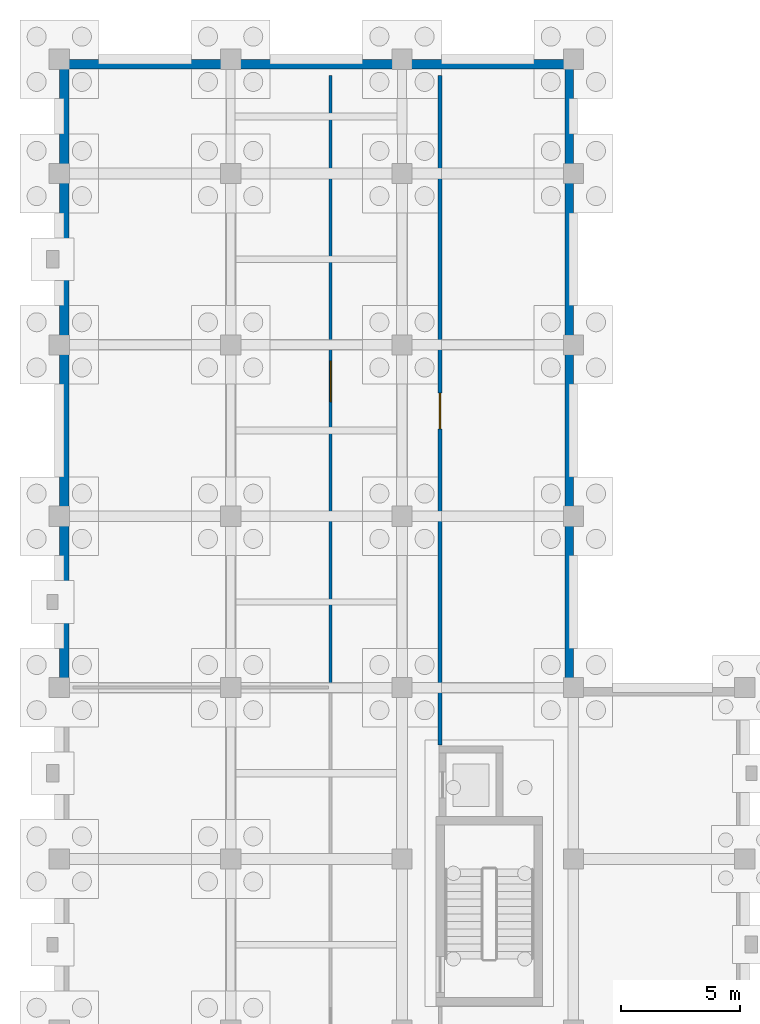
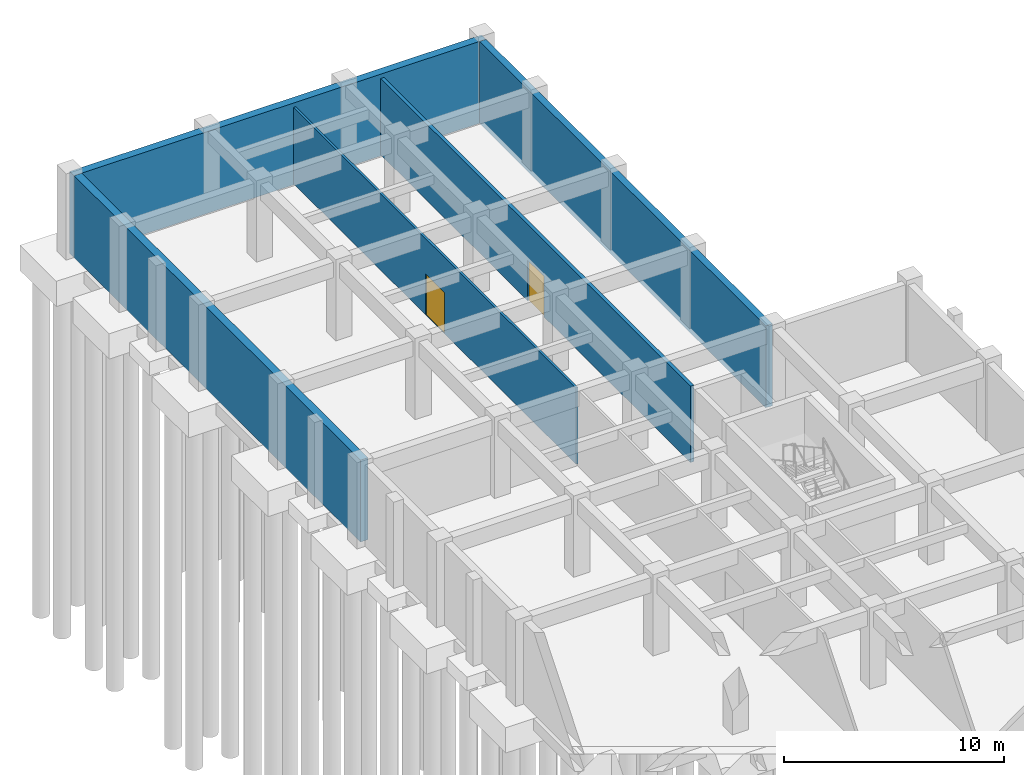
# One storey, part 19 of 28: 5 walls, 2 doors, 2 openings.
"""IFC4 building model written with IfcOpenShell, lengths in metres."""

from ifc_helpers import new_model, si_unit, direction, frame, frame_2d, origin, place, context, subcontext, project, spatial, rectangle, extrude, material, layer, layer_set, type_object, element, fill, save


model = new_model("IFC4")

# Units and contexts
model_context = context("Model", 3, precision=1e-05, world=origin(), true_north=direction((0.0, 1.0)))
body_context = subcontext(model_context, "Body", "Model", "MODEL_VIEW")
ifc_project = project(units=[si_unit("LENGTHUNIT", "METRE"), si_unit("AREAUNIT", "SQUARE_METRE"), si_unit("VOLUMEUNIT", "CUBIC_METRE"), si_unit("PLANEANGLEUNIT", "RADIAN"), si_unit("MASSUNIT", "GRAM", prefix="KILO")], contexts=[model_context])

# Site, building, storey
site_placement = place(None, origin())
site = spatial("IfcSite", under=ifc_project, at=site_placement, CompositionType="ELEMENT")
building_placement = place(site_placement, origin())
building = spatial("IfcBuilding", under=site, at=building_placement, Name="Alvorim Cloister Faculty of Sciences", CompositionType="ELEMENT")
storey_placement = place(building_placement, frame((0.0, 0.0, -4.5)))
storey = spatial("IfcBuildingStorey", under=building, at=storey_placement, Name="B01", CompositionType="ELEMENT", Elevation=-4.5)

# Wall, opening, door
ifc_material_1 = material(Name="Acoustic Gypsum Stud Partition", Category="gypsum")
ifc_layer_1 = layer(ifc_material_1, 0.1201171875)
ifc_layer_set_1 = layer_set([ifc_layer_1], Name="Acoustic Gypsum Stud Partition")
wall_type_1 = type_object("IfcWallType", Name="WL-PRT-120", PredefinedType="PARTITIONING", material=ifc_layer_set_1)
wall_1_placement = place(storey_placement, frame((11.39990234375, 85.280029296875, 0.0), z_axis=(0.0, 0.0, 1.0), x_axis=(0.0, 1.0, 0.0)))
wall_1 = element("IfcWall", 1, at=wall_1_placement, inside=storey, type_object=wall_type_1, Name="B01 Rare Science Compactus Archive Stack B Partition IWL-0450", PredefinedType="PARTITIONING", context=body_context, shape_type="SweptSolid", body=[
    extrude(rectangle(XDim=25.639892578125, YDim=0.1201171875, at=frame_2d((12.81982421875, 0.0))), origin(), (0.0, 0.0, 1.0), 4.22509765625),
])
opening_1_placement = place(wall_1_placement, frame((11.93994140625, 0.0, 0.0)))
opening_1 = element("IfcOpeningElement", 2, at=opening_1_placement, cuts=wall_1, Name="Opening D-B01-076", PredefinedType="OPENING", context=body_context, shape_type="SweptSolid", body=[
    extrude(rectangle(XDim=1.699951171875, YDim=2.280029296875, at=frame_2d((0.85009765625, 1.14013671875))), frame((0.0, 0.072021484375, 0.0), z_axis=(0.0, -1.0, 0.0), x_axis=(1.0, 0.0, 0.0)), (0.0, 0.0, 1.0), 0.14404296875),
])
ifc_material_2 = material(Name="Solid Acoustic Oak Timber", Category="wood")
door_type_1 = type_object("IfcDoorType", Name="DR-HALL-1700x2280", OperationType="NOTDEFINED", PredefinedType="DOOR", material=ifc_material_2)
door_1_placement = place(opening_1_placement, origin())
door_1 = element("IfcDoor", 3, at=door_1_placement, inside=storey, type_object=door_type_1, Name="Rare Science Compactus Archive Stack B Door D-B01-076", OperationType="DOUBLE_DOOR_SINGLE_SWING", OverallHeight=2.280029296875, OverallWidth=1.699951171875, PredefinedType="DOOR", context=body_context, shape_type="SweptSolid", body=[
    extrude(rectangle(XDim=1.699951171875, YDim=2.280029296875, at=frame_2d((0.85009765625, 1.14013671875))), frame((0.0, 0.02490234375, 0.0), z_axis=(0.0, -1.0, 0.0), x_axis=(1.0, 0.0, 0.0)), (0.0, 0.0, 1.0), 0.050048828125),
])
fill(opening_1, door_1)

ifc_material_3 = material(Name="Gypsum Fireboard Stud Partition", Category="gypsum")
ifc_layer_2 = layer(ifc_material_3, 0.179931640625)
ifc_layer_set_2 = layer_set([ifc_layer_2], Name="Gypsum Fireboard Stud Partition")
wall_type_2 = type_object("IfcWallType", Name="WL-PRT-180", PredefinedType="PARTITIONING", material=ifc_layer_set_2)
wall_2_placement = place(storey_placement, frame((16.0, 82.7900390625, 0.0), z_axis=(0.0, 0.0, 1.0), x_axis=(0.0, 1.0, 0.0)))
wall_2 = element("IfcWall", 4, at=wall_2_placement, inside=storey, type_object=wall_type_2, Name="B01 Library Bindery and Conservation Workshop Partition IWL-0453", PredefinedType="PARTITIONING", context=body_context, shape_type="SweptSolid", body=[
    extrude(rectangle(XDim=28.1298828125, YDim=0.179931640625, at=frame_2d((14.06494140625, 0.0))), origin(), (0.0, 0.0, 1.0), 4.22509765625),
])
opening_2_placement = place(wall_2_placement, frame((13.284912109375, 0.0, 0.0)))
opening_2 = element("IfcOpeningElement", 5, at=opening_2_placement, cuts=wall_2, Name="Opening D-B01-078", PredefinedType="OPENING", context=body_context, shape_type="SweptSolid", body=[
    extrude(rectangle(XDim=1.5, YDim=2.25, at=frame_2d((0.75, 1.125))), frame((0.0, 0.10205078125, 0.0), z_axis=(0.0, -1.0, 0.0), x_axis=(1.0, 0.0, 0.0)), (0.0, 0.0, 1.0), 0.203857421875),
])
ifc_material_4 = material(Name="Galvanised Fire-Rated Steel", Category="steel")
door_type_2 = type_object("IfcDoorType", Name="DR-PLN-1500x2250", OperationType="NOTDEFINED", PredefinedType="DOOR", material=ifc_material_4)
door_2_placement = place(opening_2_placement, origin())
door_2 = element("IfcDoor", 6, at=door_2_placement, inside=storey, type_object=door_type_2, Name="Library Bindery and Conservation Workshop Door D-B01-078", OperationType="DOUBLE_DOOR_SINGLE_SWING", OverallHeight=2.25, OverallWidth=1.5, PredefinedType="DOOR", context=body_context, shape_type="SweptSolid", body=[
    extrude(rectangle(XDim=1.5, YDim=2.25, at=frame_2d((0.75, 1.125))), frame((0.0, 0.02490234375, 0.0), z_axis=(0.0, -1.0, 0.0), x_axis=(1.0, 0.0, 0.0)), (0.0, 0.0, 1.0), 0.050048828125),
])
fill(opening_2, door_2)

# Walls
ifc_material_5 = material(Name="Concrete C40", Category="concrete")
ifc_layer_3 = layer(ifc_material_5, 0.35009765625)
ifc_layer_set_3 = layer_set([ifc_layer_3], Name="Concrete C40")
wall_type_3 = type_object("IfcWallType", Name="WL-RET-350", PredefinedType="USERDEFINED", material=ifc_layer_set_3)
wall_3_placement = place(storey_placement, frame((21.425048828125, 111.60009765625, -0.300048828125), z_axis=(0.0, 0.0, 1.0), x_axis=(0.0, -1.0, 0.0)))
element("IfcWall", 7, at=wall_3_placement, inside=storey, type_object=wall_type_3, Name="B01 Perimeter Retaining Wall WL-RET-0011", ObjectType="RETAINING WALL", PredefinedType="USERDEFINED", context=body_context, shape_type="SweptSolid", body=[
    extrude(rectangle(XDim=26.400146484375, YDim=0.35009765625, at=frame_2d((13.2001953125, 0.0))), origin(), (0.0, 0.0, 1.0), 4.5400390625),
])
ifc_layer_4 = layer(ifc_material_5, 0.39990234375)
ifc_layer_set_4 = layer_set([ifc_layer_4], Name="Concrete C40")
wall_type_4 = type_object("IfcWallType", Name="WL-RET-400", PredefinedType="USERDEFINED", material=ifc_layer_set_4)
wall_4_placement = place(storey_placement, frame((0.199951171875, 85.199951171875, -0.300048828125), z_axis=(0.0, 0.0, 1.0), x_axis=(0.0, 1.0, 0.0)))
element("IfcWall", 8, at=wall_4_placement, inside=storey, type_object=wall_type_4, Name="B01 Perimeter Retaining Wall WL-RET-0009", ObjectType="RETAINING WALL", PredefinedType="USERDEFINED", context=body_context, shape_type="SweptSolid", body=[
    extrude(rectangle(XDim=26.400146484375, YDim=0.39990234375, at=frame_2d((13.2001953125, 0.0))), origin(), (0.0, 0.0, 1.0), 4.5400390625),
])
wall_5_placement = place(storey_placement, frame((0.0, 111.39990234375, -0.300048828125), z_axis=(0.0, 0.0, 1.0), x_axis=(1.0, 0.0, 0.0)))
element("IfcWall", 9, at=wall_5_placement, inside=storey, type_object=wall_type_4, Name="B01 Perimeter Retaining Wall WL-RET-0010", ObjectType="RETAINING WALL", PredefinedType="USERDEFINED", context=body_context, shape_type="SweptSolid", body=[
    extrude(rectangle(XDim=21.60009765625, YDim=0.39990234375, at=frame_2d((10.800048828125, 0.0))), origin(), (0.0, 0.0, 1.0), 4.5400390625),
])

save(model, "model.ifc")
